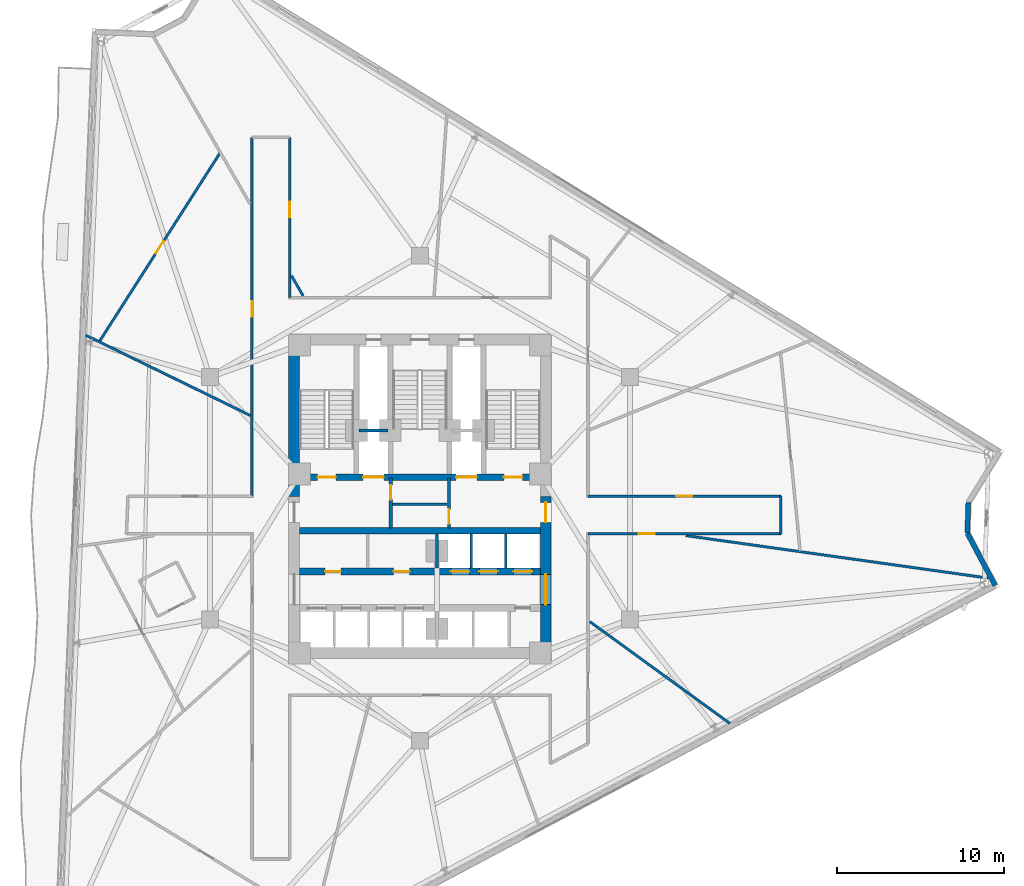
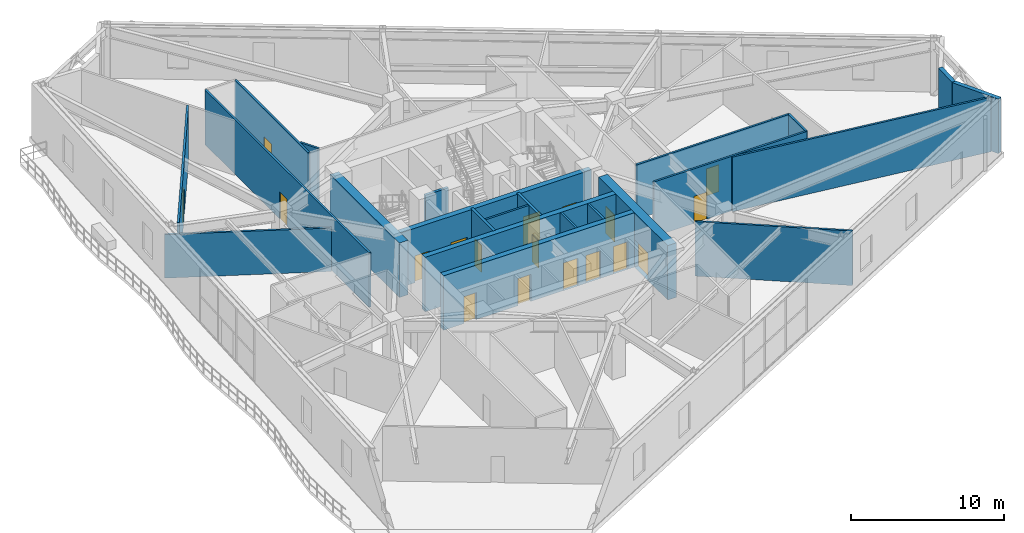
# One storey, part 18 of 22: 24 walls, 18 doors, 18 openings.
"""IFC4 building model written with IfcOpenShell, lengths in metres."""

from ifc_helpers import new_model, si_unit, direction, frame, frame_2d, origin, place, context, subcontext, project, spatial, rectangle, extrude, material, layer, layer_set, type_object, element, fill, save


model = new_model("IFC4")

# Units and contexts
model_context = context("Model", 3, precision=1e-05, world=origin(), true_north=direction((0.0, 1.0)))
body_context = subcontext(model_context, "Body", "Model", "MODEL_VIEW")
ifc_project = project(units=[si_unit("LENGTHUNIT", "METRE"), si_unit("AREAUNIT", "SQUARE_METRE"), si_unit("VOLUMEUNIT", "CUBIC_METRE"), si_unit("PLANEANGLEUNIT", "RADIAN"), si_unit("MASSUNIT", "GRAM", prefix="KILO")], contexts=[model_context])

# Site, building, storey
site_placement = place(None, origin())
site = spatial("IfcSite", under=ifc_project, at=site_placement, CompositionType="ELEMENT")
building_placement = place(site_placement, origin())
building = spatial("IfcBuilding", under=site, at=building_placement, Name="Apsidion Concourse Tower", CompositionType="ELEMENT")
storey_placement = place(building_placement, frame((0.0, 0.0, 160.89990234375)))
storey = spatial("IfcBuildingStorey", under=building, at=storey_placement, Name="L37", CompositionType="ELEMENT", Elevation=160.89990234375)

# Walls
ifc_material_1 = material(Name="Precast concrete C40/50", Category="concrete")
ifc_layer_1 = layer(ifc_material_1, 0.300048828125)
ifc_layer_set_1 = layer_set([ifc_layer_1], Name="Precast concrete C40/50")
wall_type_1 = type_object("IfcWallType", Name="WL-EXT-300", PredefinedType="STANDARD", material=ifc_layer_set_1)
wall_1_placement = place(storey_placement, frame((32.794189453125, -0.25244140625, 0.0), z_axis=(0.0, 0.0, 1.0), x_axis=(-0.031873247483, -0.999491918974, 0.0)))
element("IfcWall", 1, at=wall_1_placement, inside=storey, type_object=wall_type_1, Name="L37 Precast Stone Facade Wall 03", PredefinedType="STANDARD", context=body_context, shape_type="SweptSolid", body=[
    extrude(rectangle(XDim=1.83837890625, YDim=0.300048828125, at=frame_2d((0.919189453125, 0.0))), origin(), (0.0, 0.0, 1.0), 4.35009765625),
])
wall_2_placement = place(storey_placement, frame((32.735595703125, -2.08984375, 0.0), z_axis=(0.0, 0.0, 1.0), x_axis=(0.469464339615, -0.882951433449, 0.0)))
element("IfcWall", 2, at=wall_2_placement, inside=storey, type_object=wall_type_1, Name="L37 Precast Stone Facade Wall 04", PredefinedType="STANDARD", context=body_context, shape_type="SweptSolid", body=[
    extrude(rectangle(XDim=3.54150390625, YDim=0.300048828125, at=frame_2d((1.770751953125, 0.0))), origin(), (0.0, 0.0, 1.0), 4.35009765625),
])
ifc_material_2 = material(Name="Gypsum plasterboard partition")
ifc_layer_2 = layer(ifc_material_2, 0.14990234375)
ifc_layer_set_2 = layer_set([ifc_layer_2], Name="Gypsum plasterboard partition")
wall_type_2 = type_object("IfcWallType", Name="WL-INT-PAR-150", PredefinedType="PARTITIONING", material=ifc_layer_set_2)
for number, where, z_axis, x_axis, name in (
    (3, (3.074951171875, -4.179931640625, 0.0), (0.0, 0.0, 1.0), (0.0, 1.0, 0.0), "L37 Interior Partition WL-L37-B3DIV-1"),
    (4, (5.125, -4.179931640625, 0.0), (0.0, 0.0, 1.0), (0.0, 1.0, 0.0), "L37 Interior Partition WL-L37-B3DIV-2"),
):
    element("IfcWall", number, at=place(storey_placement, frame(where, z_axis=z_axis, x_axis=x_axis)), inside=storey, type_object=wall_type_2, Name=name, PredefinedType="PARTITIONING", context=body_context, shape_type="SweptSolid", body=[
        extrude(rectangle(XDim=2.030029296875, YDim=0.14990234375, at=frame_2d((1.01513671875, 0.0))), origin(), (0.0, 0.0, 1.0), 4.35009765625),
    ])
wall_3_placement = place(storey_placement, frame((-1.6298828125, -0.35009765625, 0.0), z_axis=(0.0, 0.0, 1.0), x_axis=(1.0, 0.0, 0.0)))
element("IfcWall", 5, at=wall_3_placement, inside=storey, type_object=wall_type_2, Name="L37 Interior Partition WL-L37-K2H", PredefinedType="PARTITIONING", context=body_context, shape_type="SweptSolid", body=[
    extrude(rectangle(XDim=3.259765625, YDim=0.14990234375, at=frame_2d((1.6298828125, 0.0))), origin(), (0.0, 0.0, 1.0), 4.35009765625),
])

# Wall, opening, door
wall_4_placement = place(storey_placement, frame((-10.050048828125, 0.1298828125, 0.0), z_axis=(0.0, 0.0, 1.0), x_axis=(0.0, 1.0, 0.0)))
wall_4 = element("IfcWall", 6, at=wall_4_placement, inside=storey, type_object=wall_type_2, Name="L37 Interior Partition WL-L37-CORR-10", PredefinedType="PARTITIONING", context=body_context, shape_type="SweptSolid", body=[
    extrude(rectangle(XDim=21.4501953125, YDim=0.14990234375, at=frame_2d((10.72509765625, 0.0))), origin(), (0.0, 0.0, 1.0), 4.35009765625),
])
opening_1_placement = place(wall_4_placement, frame((10.711181640625, 0.0, 0.0)))
opening_1 = element("IfcOpeningElement", 7, at=opening_1_placement, cuts=wall_4, Name="Opening D-01R", PredefinedType="OPENING", context=body_context, shape_type="SweptSolid", body=[
    extrude(rectangle(XDim=0.949951171875, YDim=2.14990234375, at=frame_2d((0.47509765625, 1.074951171875))), frame((0.0, 0.0849609375, 0.0), z_axis=(0.0, -1.0, 0.0), x_axis=(1.0, 0.0, 0.0)), (0.0, 0.0, 1.0), 0.169921875),
])
ifc_material_3 = material(Name="Brushed stainless steel 316", Category="steel")
door_type_1 = type_object("IfcDoorType", Name="DR-INT-D01R", OperationType="SINGLE_SWING_RIGHT", PredefinedType="DOOR", material=ifc_material_3)
door_1_placement = place(opening_1_placement, origin())
door_1 = element("IfcDoor", 8, at=door_1_placement, inside=storey, type_object=door_type_1, Name="L37 Corridor Entry Door 10", OperationType="SINGLE_SWING_RIGHT", OverallHeight=2.14990234375, OverallWidth=0.949951171875, PredefinedType="DOOR", context=body_context, shape_type="SweptSolid", body=[
    extrude(rectangle(XDim=0.949951171875, YDim=2.14990234375, at=frame_2d((0.47509765625, 1.074951171875))), frame((0.0, 0.02490234375, 0.0), z_axis=(0.0, -1.0, 0.0), x_axis=(1.0, 0.0, 0.0)), (0.0, 0.0, 1.0), 0.050048828125),
])
fill(opening_1, door_1)

wall_5_placement = place(storey_placement, frame((-7.7900390625, 21.580078125, 0.0), z_axis=(0.0, 0.0, 1.0), x_axis=(0.0, -1.0, 0.0)))
wall_5 = element("IfcWall", 9, at=wall_5_placement, inside=storey, type_object=wall_type_2, Name="L37 Interior Partition WL-L37-CORR-12", PredefinedType="PARTITIONING", context=body_context, shape_type="SweptSolid", body=[
    extrude(rectangle(XDim=9.580078125, YDim=0.14990234375, at=frame_2d((4.7900390625, 0.0))), origin(), (0.0, 0.0, 1.0), 4.35009765625),
])
opening_2_placement = place(wall_5_placement, frame((3.833984375, 0.0, 0.0)))
opening_2 = element("IfcOpeningElement", 10, at=opening_2_placement, cuts=wall_5, Name="Opening D-01L", PredefinedType="OPENING", context=body_context, shape_type="SweptSolid", body=[
    extrude(rectangle(XDim=0.949951171875, YDim=2.14990234375, at=frame_2d((0.47509765625, 1.074951171875))), frame((0.0, 0.0849609375, 0.0), z_axis=(0.0, -1.0, 0.0), x_axis=(1.0, 0.0, 0.0)), (0.0, 0.0, 1.0), 0.169921875),
])
door_type_2 = type_object("IfcDoorType", Name="DR-INT-D01L", OperationType="SINGLE_SWING_LEFT", PredefinedType="DOOR", material=ifc_material_3)
door_2_placement = place(opening_2_placement, origin())
door_2 = element("IfcDoor", 11, at=door_2_placement, inside=storey, type_object=door_type_2, Name="L37 Corridor Entry Door 09", OperationType="SINGLE_SWING_LEFT", OverallHeight=2.14990234375, OverallWidth=0.949951171875, PredefinedType="DOOR", context=body_context, shape_type="SweptSolid", body=[
    extrude(rectangle(XDim=0.949951171875, YDim=2.14990234375, at=frame_2d((0.47509765625, 1.074951171875))), frame((0.0, 0.02490234375, 0.0), z_axis=(0.0, -1.0, 0.0), x_axis=(1.0, 0.0, 0.0)), (0.0, 0.0, 1.0), 0.050048828125),
])
fill(opening_2, door_2)

wall_6_placement = place(storey_placement, frame((10.050048828125, 0.1298828125, 0.0), z_axis=(0.0, 0.0, 1.0), x_axis=(1.0, 0.0, 0.0)))
wall_6 = element("IfcWall", 12, at=wall_6_placement, inside=storey, type_object=wall_type_2, Name="L37 Interior Partition WL-L37-CORR-17", PredefinedType="PARTITIONING", context=body_context, shape_type="SweptSolid", body=[
    extrude(rectangle(XDim=11.530029296875, YDim=0.14990234375, at=frame_2d((5.76513671875, 0.0))), origin(), (0.0, 0.0, 1.0), 4.35009765625),
])
opening_3_placement = place(wall_6_placement, frame((5.2900390625, 0.0, 0.0)))
opening_3 = element("IfcOpeningElement", 13, at=opening_3_placement, cuts=wall_6, Name="Opening D-01R", PredefinedType="OPENING", context=body_context, shape_type="SweptSolid", body=[
    extrude(rectangle(XDim=0.949951171875, YDim=2.14990234375, at=frame_2d((0.47509765625, 1.074951171875))), frame((0.0, 0.0849609375, 0.0), z_axis=(0.0, -1.0, 0.0), x_axis=(1.0, 0.0, 0.0)), (0.0, 0.0, 1.0), 0.169921875),
])
door_3_placement = place(opening_3_placement, origin())
door_3 = element("IfcDoor", 14, at=door_3_placement, inside=storey, type_object=door_type_1, Name="L37 Corridor Entry Door 06", OperationType="SINGLE_SWING_RIGHT", OverallHeight=2.14990234375, OverallWidth=0.949951171875, PredefinedType="DOOR", context=body_context, shape_type="SweptSolid", body=[
    extrude(rectangle(XDim=0.949951171875, YDim=2.14990234375, at=frame_2d((0.47509765625, 1.074951171875))), frame((0.0, 0.02490234375, 0.0), z_axis=(0.0, -1.0, 0.0), x_axis=(1.0, 0.0, 0.0)), (0.0, 0.0, 1.0), 0.050048828125),
])
fill(opening_3, door_3)

# Wall
wall_7_placement = place(storey_placement, frame((21.580078125, 0.1298828125, 0.0), z_axis=(0.0, 0.0, 1.0), x_axis=(0.0, -1.0, 0.0)))
element("IfcWall", 15, at=wall_7_placement, inside=storey, type_object=wall_type_2, Name="L37 Interior Partition WL-L37-CORR-18", PredefinedType="PARTITIONING", context=body_context, shape_type="SweptSolid", body=[
    extrude(rectangle(XDim=2.259765625, YDim=0.14990234375, at=frame_2d((1.1298828125, 0.0))), origin(), (0.0, 0.0, 1.0), 4.35009765625),
])

# Wall, opening, door
wall_8_placement = place(storey_placement, frame((21.580078125, -2.1298828125, 0.0), z_axis=(0.0, 0.0, 1.0), x_axis=(-1.0, 0.0, 0.0)))
wall_8 = element("IfcWall", 16, at=wall_8_placement, inside=storey, type_object=wall_type_2, Name="L37 Interior Partition WL-L37-CORR-19", PredefinedType="PARTITIONING", context=body_context, shape_type="SweptSolid", body=[
    extrude(rectangle(XDim=11.530029296875, YDim=0.14990234375, at=frame_2d((5.76513671875, 0.0))), origin(), (0.0, 0.0, 1.0), 4.35009765625),
])
opening_4_placement = place(wall_8_placement, frame((7.5498046875, 0.0, 0.0)))
opening_4 = element("IfcOpeningElement", 17, at=opening_4_placement, cuts=wall_8, Name="Opening D-01L", PredefinedType="OPENING", context=body_context, shape_type="SweptSolid", body=[
    extrude(rectangle(XDim=0.949951171875, YDim=2.14990234375, at=frame_2d((0.47509765625, 1.074951171875))), frame((0.0, 0.0849609375, 0.0), z_axis=(0.0, -1.0, 0.0), x_axis=(1.0, 0.0, 0.0)), (0.0, 0.0, 1.0), 0.169921875),
])
door_4_placement = place(opening_4_placement, origin())
door_4 = element("IfcDoor", 18, at=door_4_placement, inside=storey, type_object=door_type_2, Name="L37 Corridor Entry Door 05", OperationType="SINGLE_SWING_LEFT", OverallHeight=2.14990234375, OverallWidth=0.949951171875, PredefinedType="DOOR", context=body_context, shape_type="SweptSolid", body=[
    extrude(rectangle(XDim=0.949951171875, YDim=2.14990234375, at=frame_2d((0.47509765625, 1.074951171875))), frame((0.0, 0.02490234375, 0.0), z_axis=(0.0, -1.0, 0.0), x_axis=(1.0, 0.0, 0.0)), (0.0, 0.0, 1.0), 0.050048828125),
])
fill(opening_4, door_4)

# Walls
wall_9_placement = place(storey_placement, frame((-6.98876953125, 12.10498046875, 0.0), z_axis=(0.0, 0.0, 1.0), x_axis=(-0.500061413255, 0.865989943922, 0.0)))
element("IfcWall", 19, at=wall_9_placement, inside=storey, type_object=wall_type_2, Name="L37 Interior Partition WL-L37-RAD-04-1", PredefinedType="PARTITIONING", context=body_context, shape_type="SweptSolid", body=[
    extrude(rectangle(XDim=1.392333984375, YDim=0.14990234375, at=frame_2d((0.6962890625, 0.0))), origin(), (0.0, 0.0, 1.0), 4.35009765625),
])
wall_10_placement = place(storey_placement, frame((-10.155029296875, 4.952880859375, 0.0), z_axis=(0.0, 0.0, 1.0), x_axis=(-0.898786450148, 0.438386720864, 0.0)))
element("IfcWall", 20, at=wall_10_placement, inside=storey, type_object=wall_type_2, Name="L37 Interior Partition WL-L37-RAD-05-1", PredefinedType="PARTITIONING", context=body_context, shape_type="SweptSolid", body=[
    extrude(rectangle(XDim=10.946533203125, YDim=0.14990234375, at=frame_2d((5.47314453125, 0.0))), origin(), (0.0, 0.0, 1.0), 3.47119140625),
])
wall_11_placement = place(storey_placement, frame((10.155029296875, -7.3779296875, 0.0), z_axis=(0.0, 0.0, 1.0), x_axis=(0.809011237689, -0.587793175609, 0.0)))
element("IfcWall", 21, at=wall_11_placement, inside=storey, type_object=wall_type_2, Name="L37 Interior Partition WL-L37-RAD-10-1", PredefinedType="PARTITIONING", context=body_context, shape_type="SweptSolid", body=[
    extrude(rectangle(XDim=10.3564453125, YDim=0.14990234375, at=frame_2d((5.17822265625, 0.0))), origin(), (0.0, 0.0, 1.0), 4.35009765625),
])
wall_12_placement = place(storey_placement, frame((15.90283203125, -2.235107421875, 0.0), z_axis=(0.0, 0.0, 1.0), x_axis=(0.9902682484, -0.139171822615, 0.0)))
element("IfcWall", 22, at=wall_12_placement, inside=storey, type_object=wall_type_2, Name="L37 Interior Partition WL-L37-RAD-11-1", PredefinedType="PARTITIONING", context=body_context, shape_type="SweptSolid", body=[
    extrude(rectangle(XDim=18.251220703125, YDim=0.14990234375, at=frame_2d((9.12548828125, 0.0))), origin(), (0.0, 0.0, 1.0), 4.35009765625),
])

# Wall, opening, door
wall_13_placement = place(storey_placement, frame((-11.95458984375, 20.656005859375, 0.0), z_axis=(0.0, 0.0, 1.0), x_axis=(-0.538871543902, -0.842387950515, 0.0)))
wall_13 = element("IfcWall", 23, at=wall_13_placement, inside=storey, type_object=wall_type_2, Name="L37 Interior Partition WL-L37-CHD-OFS09", PredefinedType="PARTITIONING", context=body_context, shape_type="SweptSolid", body=[
    extrude(rectangle(XDim=13.388916015625, YDim=0.14990234375, at=frame_2d((6.6943359375, 0.0))), origin(), (0.0, 0.0, 1.0), 4.35009765625),
])
opening_5_placement = place(wall_13_placement, frame((6.244384765625, 0.0, 0.0)))
opening_5 = element("IfcOpeningElement", 24, at=opening_5_placement, cuts=wall_13, Name="Opening D-02R", PredefinedType="OPENING", context=body_context, shape_type="SweptSolid", body=[
    extrude(rectangle(XDim=0.89990234375, YDim=2.10009765625, at=frame_2d((0.449951171875, 1.050048828125))), frame((0.0, 0.0849609375, 0.0), z_axis=(0.0, -1.0, 0.0), x_axis=(1.0, 0.0, 0.0)), (0.0, 0.0, 1.0), 0.169921875),
])
ifc_material_4 = material(Name="Anodised aluminium EN AW-6063 T6", Category="aluminium")
door_type_3 = type_object("IfcDoorType", Name="DR-INT-D02R", OperationType="SINGLE_SWING_RIGHT", PredefinedType="DOOR", material=ifc_material_4)
door_5_placement = place(opening_5_placement, origin())
door_5 = element("IfcDoor", 25, at=door_5_placement, inside=storey, type_object=door_type_3, Name="L37 Suite Connecting Door OFS09", OperationType="SINGLE_SWING_RIGHT", OverallHeight=2.10009765625, OverallWidth=0.89990234375, PredefinedType="DOOR", context=body_context, shape_type="SweptSolid", body=[
    extrude(rectangle(XDim=0.89990234375, YDim=2.10009765625, at=frame_2d((0.449951171875, 1.050048828125))), frame((0.0, 0.02490234375, 0.0), z_axis=(0.0, -1.0, 0.0), x_axis=(1.0, 0.0, 0.0)), (0.0, 0.0, 1.0), 0.050048828125),
])
fill(opening_5, door_5)

# Walls
ifc_layer_3 = layer(ifc_material_2, 0.179931640625)
ifc_layer_set_3 = layer_set([ifc_layer_3], Name="Gypsum plasterboard partition")
wall_type_3 = type_object("IfcWallType", Name="WL-INT-PAR-180", PredefinedType="PARTITIONING", material=ifc_layer_set_3)
wall_14_placement = place(storey_placement, frame((1.02490234375, -4.179931640625, 0.0), z_axis=(0.0, 0.0, 1.0), x_axis=(0.0, 1.0, 0.0)))
element("IfcWall", 26, at=wall_14_placement, inside=storey, type_object=wall_type_3, Name="L37 Interior Partition WL-L37-B1END", PredefinedType="PARTITIONING", context=body_context, shape_type="SweptSolid", body=[
    extrude(rectangle(XDim=2.030029296875, YDim=0.179931640625, at=frame_2d((1.01513671875, 0.0))), origin(), (0.0, 0.0, 1.0), 3.398193359375),
])
ifc_layer_4 = layer(ifc_material_2, 0.199951171875)
ifc_layer_set_4 = layer_set([ifc_layer_4], Name="Gypsum plasterboard partition")
wall_type_4 = type_object("IfcWallType", Name="WL-INT-PAR-200", PredefinedType="PARTITIONING", material=ifc_layer_set_4)
wall_15_placement = place(storey_placement, frame((-3.64990234375, 4.050048828125, 0.0), z_axis=(0.0, 0.0, 1.0), x_axis=(1.0, 0.0, 0.0)))
element("IfcWall", 27, at=wall_15_placement, inside=storey, type_object=wall_type_4, Name="L37 Interior Partition WL-L37-FF1-N", PredefinedType="PARTITIONING", context=body_context, shape_type="SweptSolid", body=[
    extrude(rectangle(XDim=1.72998046875, YDim=0.199951171875, at=frame_2d((0.864990234375, 0.0))), origin(), (0.0, 0.0, 1.0), 4.35009765625),
])

# Wall, opening, door
wall_16_placement = place(storey_placement, frame((-1.739990234375, -1.780029296875, 0.0), z_axis=(0.0, 0.0, 1.0), x_axis=(0.0, 1.0, 0.0)))
wall_16 = element("IfcWall", 28, at=wall_16_placement, inside=storey, type_object=wall_type_4, Name="L37 Interior Partition WL-L37-FF1-E", PredefinedType="PARTITIONING", context=body_context, shape_type="SweptSolid", body=[
    extrude(rectangle(XDim=2.97998046875, YDim=0.199951171875, at=frame_2d((1.489990234375, 0.0))), origin(), (0.0, 0.0, 1.0), 4.35009765625),
])
opening_6_placement = place(wall_16_placement, frame((1.68994140625, 0.0, 0.0)))
opening_6 = element("IfcOpeningElement", 29, at=opening_6_placement, cuts=wall_16, Name="Opening D-05L", PredefinedType="OPENING", context=body_context, shape_type="SweptSolid", body=[
    extrude(rectangle(XDim=0.8798828125, YDim=2.14990234375, at=frame_2d((0.43994140625, 1.074951171875))), frame((0.0, 0.10986328125, 0.0), z_axis=(0.0, -1.0, 0.0), x_axis=(1.0, 0.0, 0.0)), (0.0, 0.0, 1.0), 0.219970703125),
])
door_type_4 = type_object("IfcDoorType", Name="DR-INT-D05L", OperationType="SINGLE_SWING_LEFT", PredefinedType="DOOR", material=ifc_material_3)
door_6_placement = place(opening_6_placement, origin())
door_6 = element("IfcDoor", 30, at=door_6_placement, inside=storey, type_object=door_type_4, Name="L37 Core Staff WC Door", OperationType="SINGLE_SWING_LEFT", OverallHeight=2.14990234375, OverallWidth=0.8798828125, PredefinedType="DOOR", context=body_context, shape_type="SweptSolid", body=[
    extrude(rectangle(XDim=0.8798828125, YDim=2.14990234375, at=frame_2d((0.43994140625, 1.074951171875))), frame((0.0, 0.02490234375, 0.0), z_axis=(0.0, -1.0, 0.0), x_axis=(1.0, 0.0, 0.0)), (0.0, 0.0, 1.0), 0.050048828125),
])
fill(opening_6, door_6)

wall_17_placement = place(storey_placement, frame((1.739990234375, -1.780029296875, 0.0), z_axis=(0.0, 0.0, 1.0), x_axis=(0.0, 1.0, 0.0)))
wall_17 = element("IfcWall", 31, at=wall_17_placement, inside=storey, type_object=wall_type_4, Name="L37 Interior Partition WL-L37-FF2-W", PredefinedType="PARTITIONING", context=body_context, shape_type="SweptSolid", body=[
    extrude(rectangle(XDim=2.97998046875, YDim=0.199951171875, at=frame_2d((1.489990234375, 0.0))), origin(), (0.0, 0.0, 1.0), 4.35009765625),
])
opening_7_placement = place(wall_17_placement, frame((0.239990234375, 0.0, 0.0)))
opening_7 = element("IfcOpeningElement", 32, at=opening_7_placement, cuts=wall_17, Name="Opening D-05R", PredefinedType="OPENING", context=body_context, shape_type="SweptSolid", body=[
    extrude(rectangle(XDim=0.8798828125, YDim=2.14990234375, at=frame_2d((0.43994140625, 1.074951171875))), frame((0.0, 0.10986328125, 0.0), z_axis=(0.0, -1.0, 0.0), x_axis=(1.0, 0.0, 0.0)), (0.0, 0.0, 1.0), 0.219970703125),
])
door_type_5 = type_object("IfcDoorType", Name="DR-INT-D05R", OperationType="SINGLE_SWING_RIGHT", PredefinedType="DOOR", material=ifc_material_3)
door_7_placement = place(opening_7_placement, origin())
door_7 = element("IfcDoor", 33, at=door_7_placement, inside=storey, type_object=door_type_5, Name="L37 Core Supply Store Door", OperationType="SINGLE_SWING_RIGHT", OverallHeight=2.14990234375, OverallWidth=0.8798828125, PredefinedType="DOOR", context=body_context, shape_type="SweptSolid", body=[
    extrude(rectangle(XDim=0.8798828125, YDim=2.14990234375, at=frame_2d((0.43994140625, 1.074951171875))), frame((0.0, 0.02490234375, 0.0), z_axis=(0.0, -1.0, 0.0), x_axis=(1.0, 0.0, 0.0)), (0.0, 0.0, 1.0), 0.050048828125),
])
fill(opening_7, door_7)

# Wall, openings, doors
ifc_material_5 = material(Name="Concrete C50/60", Category="concrete")
ifc_layer_5 = layer(ifc_material_5, 0.39990234375)
ifc_layer_set_5 = layer_set([ifc_layer_5], Name="Concrete C50/60")
wall_type_5 = type_object("IfcWallType", Name="WL-SH-400", PredefinedType="SHEAR", material=ifc_layer_set_5)
wall_18_placement = place(storey_placement, frame((-7.199951171875, 1.25, 0.0), z_axis=(0.0, 0.0, 1.0), x_axis=(1.0, 0.0, 0.0)))
wall_18 = element("IfcWall", 34, at=wall_18_placement, inside=storey, type_object=wall_type_5, Name="L37 Central Core Shear Wall M1", PredefinedType="SHEAR", context=body_context, shape_type="SweptSolid", body=[
    extrude(rectangle(XDim=14.39990234375, YDim=0.39990234375, at=frame_2d((7.199951171875, 0.0))), origin(), (0.0, 0.0, 1.0), 4.35009765625),
])
opening_8_placement = place(wall_18_placement, frame((3.794921875, 0.0, 0.0)))
opening_8 = element("IfcOpeningElement", 35, at=opening_8_placement, cuts=wall_18, Name="Opening LD-FF", PredefinedType="OPENING", context=body_context, shape_type="SweptSolid", body=[
    extrude(rectangle(XDim=1.25, YDim=2.25, at=frame_2d((0.625, 1.125))), frame((0.0, 0.2099609375, 0.0), z_axis=(0.0, -1.0, 0.0), x_axis=(1.0, 0.0, 0.0)), (0.0, 0.0, 1.0), 0.419921875),
])
opening_9_placement = place(wall_18_placement, frame((9.35498046875, 0.0, 0.0)))
opening_9 = element("IfcOpeningElement", 36, at=opening_9_placement, cuts=wall_18, Name="Opening LD-FF", PredefinedType="OPENING", context=body_context, shape_type="SweptSolid", body=[
    extrude(rectangle(XDim=1.25, YDim=2.25, at=frame_2d((0.625, 1.125))), frame((0.0, 0.2099609375, 0.0), z_axis=(0.0, -1.0, 0.0), x_axis=(1.0, 0.0, 0.0)), (0.0, 0.0, 1.0), 0.419921875),
])
opening_10_placement = place(wall_18_placement, frame((1.074951171875, 0.0, 0.0)))
opening_10 = element("IfcOpeningElement", 37, at=opening_10_placement, cuts=wall_18, Name="Opening D-STL", PredefinedType="OPENING", context=body_context, shape_type="SweptSolid", body=[
    extrude(rectangle(XDim=1.10009765625, YDim=2.14990234375, at=frame_2d((0.550048828125, 1.074951171875))), frame((0.0, 0.2099609375, 0.0), z_axis=(0.0, -1.0, 0.0), x_axis=(1.0, 0.0, 0.0)), (0.0, 0.0, 1.0), 0.419921875),
])
opening_11_placement = place(wall_18_placement, frame((12.22509765625, 0.0, 0.0)))
opening_11 = element("IfcOpeningElement", 38, at=opening_11_placement, cuts=wall_18, Name="Opening D-STR", PredefinedType="OPENING", context=body_context, shape_type="SweptSolid", body=[
    extrude(rectangle(XDim=1.10009765625, YDim=2.14990234375, at=frame_2d((0.550048828125, 1.074951171875))), frame((0.0, 0.2099609375, 0.0), z_axis=(0.0, -1.0, 0.0), x_axis=(1.0, 0.0, 0.0)), (0.0, 0.0, 1.0), 0.419921875),
])
door_type_6 = type_object("IfcDoorType", Name="DR-INT-ST1L", OperationType="SINGLE_SWING_LEFT", PredefinedType="DOOR", material=ifc_material_3)
door_8_placement = place(opening_10_placement, origin())
door_8 = element("IfcDoor", 39, at=door_8_placement, inside=storey, type_object=door_type_6, Name="L37 Core Exit Stair ST1 Door", OperationType="SINGLE_SWING_LEFT", OverallHeight=2.14990234375, OverallWidth=1.10009765625, PredefinedType="DOOR", context=body_context, shape_type="SweptSolid", body=[
    extrude(rectangle(XDim=1.10009765625, YDim=2.14990234375, at=frame_2d((0.550048828125, 1.074951171875))), frame((0.0, 0.02490234375, 0.0), z_axis=(0.0, -1.0, 0.0), x_axis=(1.0, 0.0, 0.0)), (0.0, 0.0, 1.0), 0.050048828125),
])
fill(opening_10, door_8)
door_type_7 = type_object("IfcDoorType", Name="DR-INT-ST1R", OperationType="SINGLE_SWING_RIGHT", PredefinedType="DOOR", material=ifc_material_3)
door_9_placement = place(opening_11_placement, origin())
door_9 = element("IfcDoor", 40, at=door_9_placement, inside=storey, type_object=door_type_7, Name="L37 Core Exit Stair ST2 Door", OperationType="SINGLE_SWING_RIGHT", OverallHeight=2.14990234375, OverallWidth=1.10009765625, PredefinedType="DOOR", context=body_context, shape_type="SweptSolid", body=[
    extrude(rectangle(XDim=1.10009765625, YDim=2.14990234375, at=frame_2d((0.550048828125, 1.074951171875))), frame((0.0, 0.02490234375, 0.0), z_axis=(0.0, -1.0, 0.0), x_axis=(1.0, 0.0, 0.0)), (0.0, 0.0, 1.0), 0.050048828125),
])
fill(opening_11, door_9)
door_type_8 = type_object("IfcDoorType", Name="DR-LD-FSAE", OperationType="DOUBLE_DOOR_SLIDING", PredefinedType="DOOR", material=ifc_material_3)
door_10_placement = place(opening_8_placement, origin())
door_10 = element("IfcDoor", 41, at=door_10_placement, inside=storey, type_object=door_type_8, Name="L37 Lift Landing Door FF1", OperationType="DOUBLE_DOOR_SLIDING", OverallHeight=2.25, OverallWidth=1.25, PredefinedType="DOOR", context=body_context, shape_type="SweptSolid", body=[
    extrude(rectangle(XDim=1.25, YDim=2.25, at=frame_2d((0.625, 1.125))), frame((0.0, 0.02490234375, 0.0), z_axis=(0.0, -1.0, 0.0), x_axis=(1.0, 0.0, 0.0)), (0.0, 0.0, 1.0), 0.050048828125),
])
fill(opening_8, door_10)
door_11_placement = place(opening_9_placement, origin())
door_11 = element("IfcDoor", 42, at=door_11_placement, inside=storey, type_object=door_type_8, Name="L37 Lift Landing Door FF2", OperationType="DOUBLE_DOOR_SLIDING", OverallHeight=2.25, OverallWidth=1.25, PredefinedType="DOOR", context=body_context, shape_type="SweptSolid", body=[
    extrude(rectangle(XDim=1.25, YDim=2.25, at=frame_2d((0.625, 1.125))), frame((0.0, 0.02490234375, 0.0), z_axis=(0.0, -1.0, 0.0), x_axis=(1.0, 0.0, 0.0)), (0.0, 0.0, 1.0), 0.050048828125),
])
fill(opening_9, door_11)

# Wall
wall_19_placement = place(storey_placement, frame((-7.199951171875, -1.949951171875, 0.0), z_axis=(0.0, 0.0, 1.0), x_axis=(1.0, 0.0, 0.0)))
element("IfcWall", 43, at=wall_19_placement, inside=storey, type_object=wall_type_5, Name="L37 Central Core Shear Wall M2", PredefinedType="SHEAR", context=body_context, shape_type="SweptSolid", body=[
    extrude(rectangle(XDim=14.39990234375, YDim=0.39990234375, at=frame_2d((7.199951171875, 0.0))), origin(), (0.0, 0.0, 1.0), 4.35009765625),
])

# Wall, openings, doors
wall_20_placement = place(storey_placement, frame((-7.199951171875, -4.3798828125, 0.0), z_axis=(0.0, 0.0, 1.0), x_axis=(1.0, 0.0, 0.0)))
wall_20 = element("IfcWall", 44, at=wall_20_placement, inside=storey, type_object=wall_type_5, Name="L37 Central Core Shear Wall LA", PredefinedType="SHEAR", context=body_context, shape_type="SweptSolid", body=[
    extrude(rectangle(XDim=14.39990234375, YDim=0.39990234375, at=frame_2d((7.199951171875, 0.0))), origin(), (0.0, 0.0, 1.0), 4.35009765625),
])
opening_12_placement = place(wall_20_placement, frame((9.050048828125, 0.0, 0.0)))
opening_12 = element("IfcOpeningElement", 45, at=opening_12_placement, cuts=wall_20, Name="Opening LD-P1", PredefinedType="OPENING", context=body_context, shape_type="SweptSolid", body=[
    extrude(rectangle(XDim=1.10009765625, YDim=2.199951171875, at=frame_2d((0.550048828125, 1.10009765625))), frame((0.0, 0.2099609375, 0.0), z_axis=(0.0, -1.0, 0.0), x_axis=(1.0, 0.0, 0.0)), (0.0, 0.0, 1.0), 0.419921875),
])
opening_13_placement = place(wall_20_placement, frame((10.75, 0.0, 0.0)))
opening_13 = element("IfcOpeningElement", 46, at=opening_13_placement, cuts=wall_20, Name="Opening LD-P1", PredefinedType="OPENING", context=body_context, shape_type="SweptSolid", body=[
    extrude(rectangle(XDim=1.10009765625, YDim=2.199951171875, at=frame_2d((0.550048828125, 1.10009765625))), frame((0.0, 0.2099609375, 0.0), z_axis=(0.0, -1.0, 0.0), x_axis=(1.0, 0.0, 0.0)), (0.0, 0.0, 1.0), 0.419921875),
])
opening_14_placement = place(wall_20_placement, frame((12.800048828125, 0.0, 0.0)))
opening_14 = element("IfcOpeningElement", 47, at=opening_14_placement, cuts=wall_20, Name="Opening LD-P1", PredefinedType="OPENING", context=body_context, shape_type="SweptSolid", body=[
    extrude(rectangle(XDim=1.10009765625, YDim=2.199951171875, at=frame_2d((0.550048828125, 1.10009765625))), frame((0.0, 0.2099609375, 0.0), z_axis=(0.0, -1.0, 0.0), x_axis=(1.0, 0.0, 0.0)), (0.0, 0.0, 1.0), 0.419921875),
])
opening_15_placement = place(wall_20_placement, frame((1.52490234375, 0.0, 0.0)))
opening_15 = element("IfcOpeningElement", 48, at=opening_15_placement, cuts=wall_20, Name="Opening D-04L", PredefinedType="OPENING", context=body_context, shape_type="SweptSolid", body=[
    extrude(rectangle(XDim=0.949951171875, YDim=2.14990234375, at=frame_2d((0.47509765625, 1.074951171875))), frame((0.0, 0.2099609375, 0.0), z_axis=(0.0, -1.0, 0.0), x_axis=(1.0, 0.0, 0.0)), (0.0, 0.0, 1.0), 0.419921875),
])
opening_16_placement = place(wall_20_placement, frame((5.625, 0.0, 0.0)))
opening_16 = element("IfcOpeningElement", 49, at=opening_16_placement, cuts=wall_20, Name="Opening D-04R", PredefinedType="OPENING", context=body_context, shape_type="SweptSolid", body=[
    extrude(rectangle(XDim=0.949951171875, YDim=2.14990234375, at=frame_2d((0.47509765625, 1.074951171875))), frame((0.0, 0.2099609375, 0.0), z_axis=(0.0, -1.0, 0.0), x_axis=(1.0, 0.0, 0.0)), (0.0, 0.0, 1.0), 0.419921875),
])
door_type_9 = type_object("IfcDoorType", Name="DR-INT-D04L", OperationType="SINGLE_SWING_LEFT", PredefinedType="DOOR", material=ifc_material_3)
door_12_placement = place(opening_15_placement, origin())
door_12 = element("IfcDoor", 50, at=door_12_placement, inside=storey, type_object=door_type_9, Name="L37 Tenant Archive Room West Door", OperationType="SINGLE_SWING_LEFT", OverallHeight=2.14990234375, OverallWidth=0.949951171875, PredefinedType="DOOR", context=body_context, shape_type="SweptSolid", body=[
    extrude(rectangle(XDim=0.949951171875, YDim=2.14990234375, at=frame_2d((0.47509765625, 1.074951171875))), frame((0.0, 0.02490234375, 0.0), z_axis=(0.0, -1.0, 0.0), x_axis=(1.0, 0.0, 0.0)), (0.0, 0.0, 1.0), 0.050048828125),
])
fill(opening_15, door_12)
door_type_10 = type_object("IfcDoorType", Name="DR-INT-D04R", OperationType="SINGLE_SWING_RIGHT", PredefinedType="DOOR", material=ifc_material_3)
door_13_placement = place(opening_16_placement, origin())
door_13 = element("IfcDoor", 51, at=door_13_placement, inside=storey, type_object=door_type_10, Name="L37 Core Print and Copy Room Door", OperationType="SINGLE_SWING_RIGHT", OverallHeight=2.14990234375, OverallWidth=0.949951171875, PredefinedType="DOOR", context=body_context, shape_type="SweptSolid", body=[
    extrude(rectangle(XDim=0.949951171875, YDim=2.14990234375, at=frame_2d((0.47509765625, 1.074951171875))), frame((0.0, 0.02490234375, 0.0), z_axis=(0.0, -1.0, 0.0), x_axis=(1.0, 0.0, 0.0)), (0.0, 0.0, 1.0), 0.050048828125),
])
fill(opening_16, door_13)
door_type_11 = type_object("IfcDoorType", Name="DR-LD-PASS", OperationType="DOUBLE_DOOR_SLIDING", PredefinedType="DOOR", material=ifc_material_3)
door_14_placement = place(opening_12_placement, origin())
door_14 = element("IfcDoor", 52, at=door_14_placement, inside=storey, type_object=door_type_11, Name="L37 Lift Landing Door P9", OperationType="DOUBLE_DOOR_SLIDING", OverallHeight=2.199951171875, OverallWidth=1.10009765625, PredefinedType="DOOR", context=body_context, shape_type="SweptSolid", body=[
    extrude(rectangle(XDim=1.10009765625, YDim=2.199951171875, at=frame_2d((0.550048828125, 1.10009765625))), frame((0.0, 0.02490234375, 0.0), z_axis=(0.0, -1.0, 0.0), x_axis=(1.0, 0.0, 0.0)), (0.0, 0.0, 1.0), 0.050048828125),
])
fill(opening_12, door_14)
door_15_placement = place(opening_13_placement, origin())
door_15 = element("IfcDoor", 53, at=door_15_placement, inside=storey, type_object=door_type_11, Name="L37 Lift Landing Door P10", OperationType="DOUBLE_DOOR_SLIDING", OverallHeight=2.199951171875, OverallWidth=1.10009765625, PredefinedType="DOOR", context=body_context, shape_type="SweptSolid", body=[
    extrude(rectangle(XDim=1.10009765625, YDim=2.199951171875, at=frame_2d((0.550048828125, 1.10009765625))), frame((0.0, 0.02490234375, 0.0), z_axis=(0.0, -1.0, 0.0), x_axis=(1.0, 0.0, 0.0)), (0.0, 0.0, 1.0), 0.050048828125),
])
fill(opening_13, door_15)
door_16_placement = place(opening_14_placement, origin())
door_16 = element("IfcDoor", 54, at=door_16_placement, inside=storey, type_object=door_type_11, Name="L37 Lift Landing Door P11", OperationType="DOUBLE_DOOR_SLIDING", OverallHeight=2.199951171875, OverallWidth=1.10009765625, PredefinedType="DOOR", context=body_context, shape_type="SweptSolid", body=[
    extrude(rectangle(XDim=1.10009765625, YDim=2.199951171875, at=frame_2d((0.550048828125, 1.10009765625))), frame((0.0, 0.02490234375, 0.0), z_axis=(0.0, -1.0, 0.0), x_axis=(1.0, 0.0, 0.0)), (0.0, 0.0, 1.0), 0.050048828125),
])
fill(opening_14, door_16)

# Wall
ifc_layer_6 = layer(ifc_material_5, 0.64990234375)
ifc_layer_set_6 = layer_set([ifc_layer_6], Name="Concrete C50/60")
wall_type_6 = type_object("IfcWallType", Name="WL-SH-650", PredefinedType="SHEAR", material=ifc_layer_set_6)
wall_21_placement = place(storey_placement, frame((-7.52490234375, 0.10009765625, 0.0), z_axis=(0.0, 0.0, 1.0), x_axis=(0.0, 1.0, 0.0)))
element("IfcWall", 55, at=wall_21_placement, inside=storey, type_object=wall_type_6, Name="L37 Central Core Shear Wall WN", PredefinedType="SHEAR", context=body_context, shape_type="SweptSolid", body=[
    extrude(rectangle(XDim=9.0498046875, YDim=0.64990234375, at=frame_2d((4.52490234375, 0.0))), origin(), (0.0, 0.0, 1.0), 4.35009765625),
])

# Wall, openings, doors
wall_22_placement = place(storey_placement, frame((7.52490234375, -8.925048828125, 0.0), z_axis=(0.0, 0.0, 1.0), x_axis=(0.0, 1.0, 0.0)))
wall_22 = element("IfcWall", 56, at=wall_22_placement, inside=storey, type_object=wall_type_6, Name="L37 Central Core Shear Wall ES", PredefinedType="SHEAR", context=body_context, shape_type="SweptSolid", body=[
    extrude(rectangle(XDim=9.025146484375, YDim=0.64990234375, at=frame_2d((4.5126953125, 0.0))), origin(), (0.0, 0.0, 1.0), 4.35009765625),
])
opening_17_placement = place(wall_22_placement, frame((2.56494140625, 0.0, 0.0)))
opening_17 = element("IfcOpeningElement", 57, at=opening_17_placement, cuts=wall_22, Name="Opening D-06D", PredefinedType="OPENING", context=body_context, shape_type="SweptSolid", body=[
    extrude(rectangle(XDim=1.800048828125, YDim=2.199951171875, at=frame_2d((0.89990234375, 1.10009765625))), frame((0.0, 0.3349609375, 0.0), z_axis=(0.0, -1.0, 0.0), x_axis=(1.0, 0.0, 0.0)), (0.0, 0.0, 1.0), 0.669921875),
])
opening_18_placement = place(wall_22_placement, frame((7.47509765625, 0.0, 0.0)))
opening_18 = element("IfcOpeningElement", 58, at=opening_18_placement, cuts=wall_22, Name="Opening D-FFR", PredefinedType="OPENING", context=body_context, shape_type="SweptSolid", body=[
    extrude(rectangle(XDim=1.199951171875, YDim=2.14990234375, at=frame_2d((0.60009765625, 1.074951171875))), frame((0.0, 0.3349609375, 0.0), z_axis=(0.0, -1.0, 0.0), x_axis=(1.0, 0.0, 0.0)), (0.0, 0.0, 1.0), 0.669921875),
])
door_type_12 = type_object("IfcDoorType", Name="DR-INT-D06D", OperationType="DOUBLE_DOOR_SINGLE_SWING", PredefinedType="DOOR", material=ifc_material_3)
door_17_placement = place(opening_17_placement, origin())
door_17 = element("IfcDoor", 59, at=door_17_placement, inside=storey, type_object=door_type_12, Name="L37 Passenger Lift Lobby ES Portal Door", OperationType="DOUBLE_DOOR_SINGLE_SWING", OverallHeight=2.199951171875, OverallWidth=1.800048828125, PredefinedType="DOOR", context=body_context, shape_type="SweptSolid", body=[
    extrude(rectangle(XDim=1.800048828125, YDim=2.199951171875, at=frame_2d((0.89990234375, 1.10009765625))), frame((0.0, 0.02490234375, 0.0), z_axis=(0.0, -1.0, 0.0), x_axis=(1.0, 0.0, 0.0)), (0.0, 0.0, 1.0), 0.050048828125),
])
fill(opening_17, door_17)
door_type_13 = type_object("IfcDoorType", Name="DR-INT-FFR", OperationType="SINGLE_SWING_RIGHT", PredefinedType="DOOR", material=ifc_material_3)
door_18_placement = place(opening_18_placement, origin())
door_18 = element("IfcDoor", 60, at=door_18_placement, inside=storey, type_object=door_type_13, Name="L37 Firefighting Lift Lobby FF2 Door", OperationType="SINGLE_SWING_RIGHT", OverallHeight=2.14990234375, OverallWidth=1.199951171875, PredefinedType="DOOR", context=body_context, shape_type="SweptSolid", body=[
    extrude(rectangle(XDim=1.199951171875, YDim=2.14990234375, at=frame_2d((0.60009765625, 1.074951171875))), frame((0.0, 0.02490234375, 0.0), z_axis=(0.0, -1.0, 0.0), x_axis=(1.0, 0.0, 0.0)), (0.0, 0.0, 1.0), 0.050048828125),
])
fill(opening_18, door_18)

save(model, "model.ifc")
